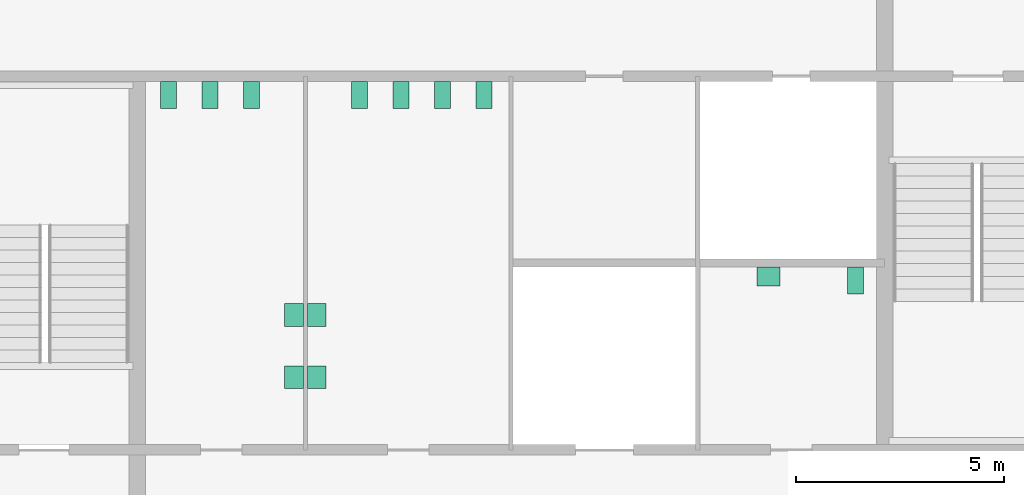
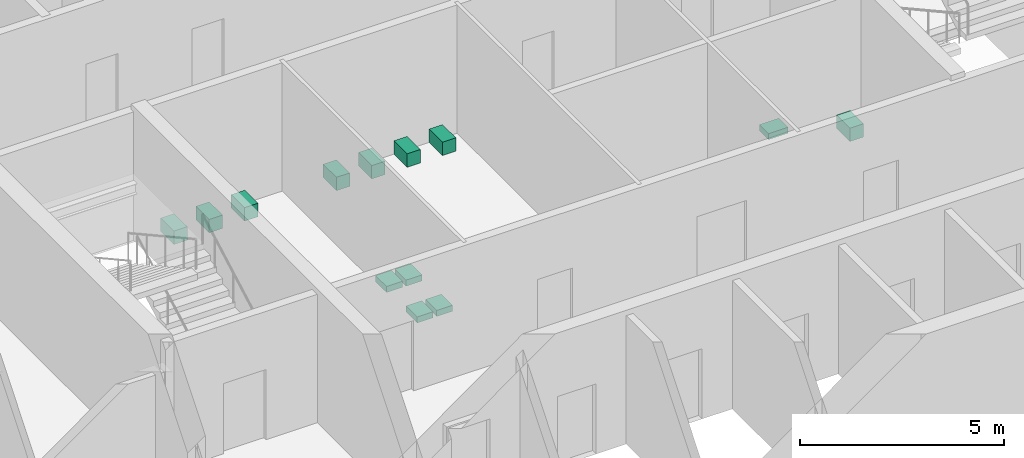
# One storey, part 13 of 13: 13 sanitary terminals.
"""IFC4 building model written with IfcOpenShell, lengths in metres."""

from ifc_helpers import new_model, si_unit, direction, frame, origin, origin_2d, place, context, subcontext, project, spatial, rectangle, extrude, material, type_object, element, save


model = new_model("IFC4")

# Units and contexts
model_context = context("Model", 3, precision=1e-05, world=origin(), true_north=direction((0.0, 1.0)))
body_context = subcontext(model_context, "Body", "Model", "MODEL_VIEW")
ifc_project = project(units=[si_unit("LENGTHUNIT", "METRE"), si_unit("AREAUNIT", "SQUARE_METRE"), si_unit("VOLUMEUNIT", "CUBIC_METRE"), si_unit("PLANEANGLEUNIT", "RADIAN"), si_unit("MASSUNIT", "GRAM", prefix="KILO")], contexts=[model_context])

# Site, building, storey
site_placement = place(None, origin())
site = spatial("IfcSite", under=ifc_project, at=site_placement, CompositionType="ELEMENT")
building_placement = place(site_placement, origin())
building = spatial("IfcBuilding", under=site, at=building_placement, Name="Corais Broadcast Tower", CompositionType="ELEMENT")
storey_placement = place(building_placement, frame((0.0, 0.0, 151.60009765625)))
storey = spatial("IfcBuildingStorey", under=building, at=storey_placement, Name="L34", CompositionType="ELEMENT", Elevation=151.60009765625)

# Sanitary terminals
ifc_material_1 = material(Name="Vitreous china", Category="ceramic")
sanitary_terminal_type_1 = type_object("IfcSanitaryTerminalType", Name="WC pan 380x650", PredefinedType="TOILETPAN", material=ifc_material_1)
for number, where, z_axis, x_axis, name in (
    (1, (18.75, 31.050048828125, 0.0), (0.0, 0.0, 1.0), (1.0, 0.0, 0.0), "SW1 WC pan, male toilets L34"),
    (2, (19.75, 31.050048828125, 0.0), (0.0, 0.0, 1.0), (1.0, 0.0, 0.0), "SW1 WC pan, male toilets L34"),
    (3, (20.75, 31.050048828125, 0.0), (0.0, 0.0, 1.0), (1.0, 0.0, 0.0), "SW1 WC pan, male toilets L34"),
    (4, (23.35009765625, 31.050048828125, 0.0), (0.0, 0.0, 1.0), (1.0, 0.0, 0.0), "SW1 WC pan, female toilets L34"),
    (5, (24.35009765625, 31.050048828125, 0.0), (0.0, 0.0, 1.0), (1.0, 0.0, 0.0), "SW1 WC pan, female toilets L34"),
    (6, (25.35009765625, 31.050048828125, 0.0), (0.0, 0.0, 1.0), (1.0, 0.0, 0.0), "SW1 WC pan, female toilets L34"),
    (7, (26.35009765625, 31.050048828125, 0.0), (0.0, 0.0, 1.0), (1.0, 0.0, 0.0), "SW1 WC pan, female toilets L34"),
    (8, (35.300048828125, 26.574951171875, 0.0), (0.0, 0.0, 1.0), (1.0, 0.0, 0.0), "SW1 WC pan, accessible WC L34"),
):
    element("IfcSanitaryTerminal", number, at=place(storey_placement, frame(where, z_axis=z_axis, x_axis=x_axis)), inside=storey, type_object=sanitary_terminal_type_1, Name=name, PredefinedType="TOILETPAN", context=body_context, shape_type="SweptSolid", body=[
        extrude(rectangle(XDim=0.3798828125, YDim=0.64990234375, at=origin_2d()), origin(), (0.0, 0.0, 1.0), 0.39990234375),
    ])
ifc_material_2 = material(Name="Vitreous china", Category="ceramic")
sanitary_terminal_type_2 = type_object("IfcSanitaryTerminalType", Name="Wash basin 550x450", PredefinedType="WASHHANDBASIN", material=ifc_material_2)
for number, where, z_axis, x_axis, name in (
    (9, (21.77490234375, 24.25, 0.69970703125), (0.0, 0.0, 1.0), (1.0, 0.0, 0.0), "WB1 wash basin, male toilets L34"),
    (10, (21.77490234375, 25.75, 0.69970703125), (0.0, 0.0, 1.0), (1.0, 0.0, 0.0), "WB1 wash basin, male toilets L34"),
    (11, (22.324951171875, 24.25, 0.69970703125), (0.0, 0.0, 1.0), (1.0, 0.0, 0.0), "WB1 wash basin, female toilets L34"),
    (12, (22.324951171875, 25.75, 0.69970703125), (0.0, 0.0, 1.0), (1.0, 0.0, 0.0), "WB1 wash basin, female toilets L34"),
):
    element("IfcSanitaryTerminal", number, at=place(storey_placement, frame(where, z_axis=z_axis, x_axis=x_axis)), inside=storey, type_object=sanitary_terminal_type_2, Name=name, PredefinedType="WASHHANDBASIN", context=body_context, shape_type="SweptSolid", body=[
        extrude(rectangle(XDim=0.449951171875, YDim=0.550048828125, at=origin_2d()), origin(), (0.0, 0.0, 1.0), 0.179931640625),
    ])
sanitary_terminal_placement = place(storey_placement, frame((33.199951171875, 26.675048828125, 0.69970703125), z_axis=(0.0, 0.0, 1.0), x_axis=(1.0, 0.0, 0.0)))
element("IfcSanitaryTerminal", 13, at=sanitary_terminal_placement, inside=storey, type_object=sanitary_terminal_type_2, Name="WB1 wash basin, accessible WC L34", PredefinedType="WASHHANDBASIN", context=body_context, shape_type="SweptSolid", body=[
    extrude(rectangle(XDim=0.550048828125, YDim=0.449951171875, at=origin_2d()), origin(), (0.0, 0.0, 1.0), 0.179931640625),
])

save(model, "model.ifc")
